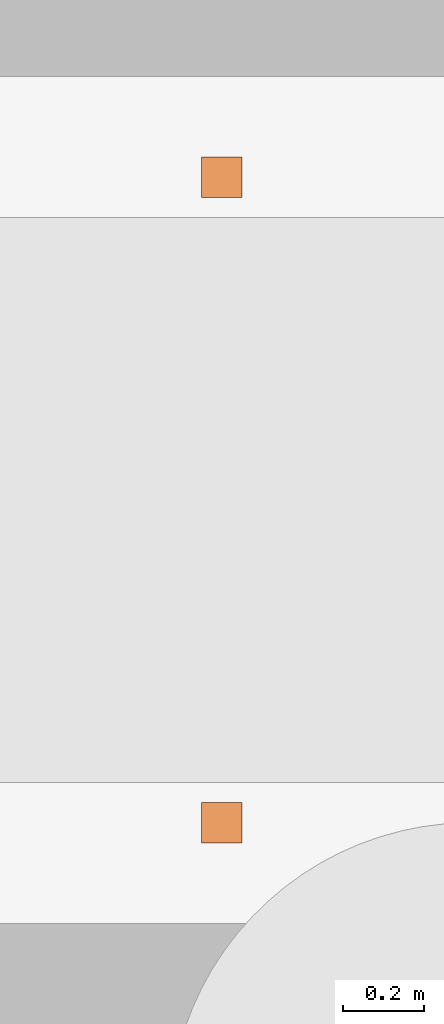
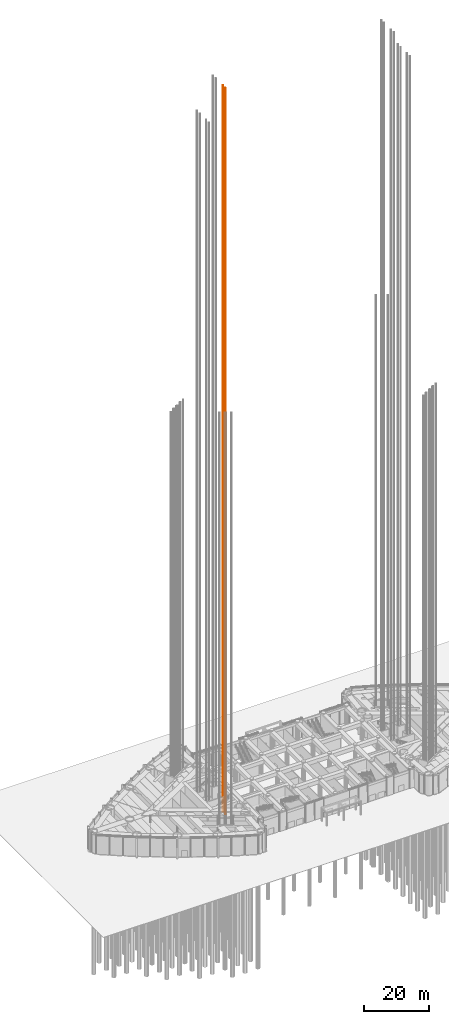
# One storey, part 34 of 43: 1 proxy.
"""IFC4 building model written with IfcOpenShell, lengths in metres."""

from ifc_helpers import new_model, si_unit, direction, frame, origin, origin_2d, place, context, subcontext, project, spatial, rectangle, extrude, material, type_object, element, save


model = new_model("IFC4")

# Units and contexts
model_context = context("Model", 3, precision=1e-05, world=origin(), true_north=direction((0.0, 1.0)))
body_context = subcontext(model_context, "Body", "Model", "MODEL_VIEW")
ifc_project = project(units=[si_unit("LENGTHUNIT", "METRE"), si_unit("AREAUNIT", "SQUARE_METRE"), si_unit("VOLUMEUNIT", "CUBIC_METRE"), si_unit("PLANEANGLEUNIT", "RADIAN"), si_unit("MASSUNIT", "GRAM", prefix="KILO")], contexts=[model_context])

# Site, building, storey
site_placement = place(None, origin())
site = spatial("IfcSite", under=ifc_project, at=site_placement, CompositionType="ELEMENT")
building_placement = place(site_placement, origin())
building = spatial("IfcBuilding", under=site, at=building_placement, Name="Lancet Gate Hotel", CompositionType="ELEMENT")
storey_placement = place(building_placement, origin())
storey = spatial("IfcBuildingStorey", under=building, at=storey_placement, Name="L00", CompositionType="ELEMENT", Elevation=0.0)

# Proxy
ifc_material = material(Name="Steel S355", Category="steel")
building_element_proxy_type = type_object("IfcBuildingElementProxyType", Name="Lift guide rails", PredefinedType="USERDEFINED", material=ifc_material)
proxy_placement = place(storey_placement, frame((-29.75, -2.949951171875, 0.0), z_axis=(0.0, 0.0, 1.0), x_axis=(1.0, 0.0, 0.0)))
element("IfcBuildingElementProxy", 1, at=proxy_placement, inside=storey, type_object=building_element_proxy_type, Name="T1-FL2 guide rails", ObjectType="LIFT GUIDE RAILS", PredefinedType="USERDEFINED", context=body_context, shape_type="SweptSolid", body=[
    extrude(rectangle(XDim=0.1, YDim=0.1, at=origin_2d()), frame((0.0, -0.800048828125, 0.0)), (0.0, 0.0, 1.0), 271.300048828125),
    extrude(rectangle(XDim=0.1, YDim=0.1, at=origin_2d()), frame((0.0, 0.800048828125, 0.0)), (0.0, 0.0, 1.0), 271.300048828125),
])

save(model, "model.ifc")
